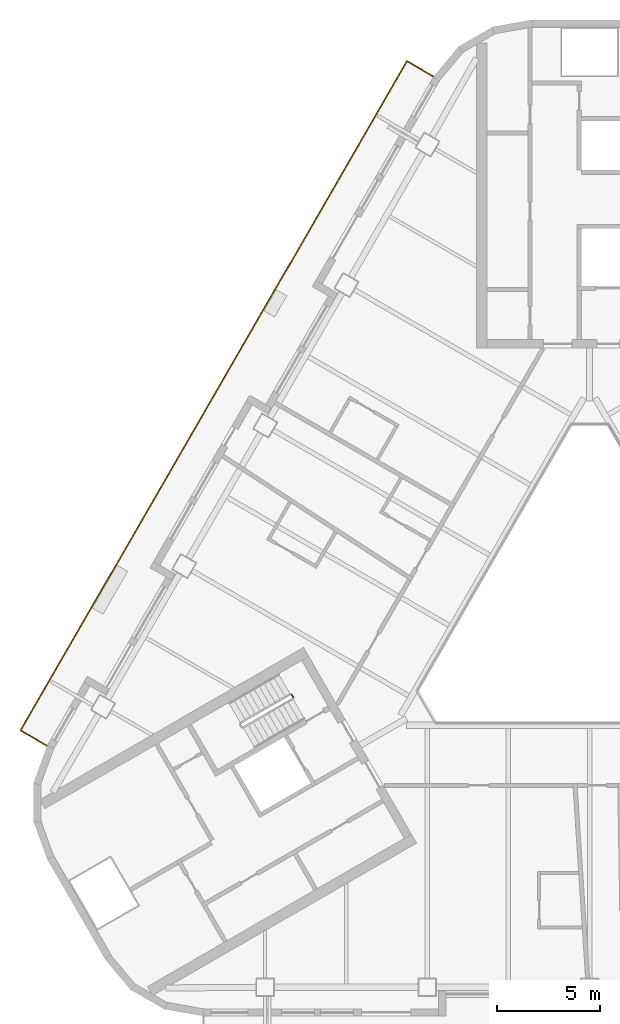
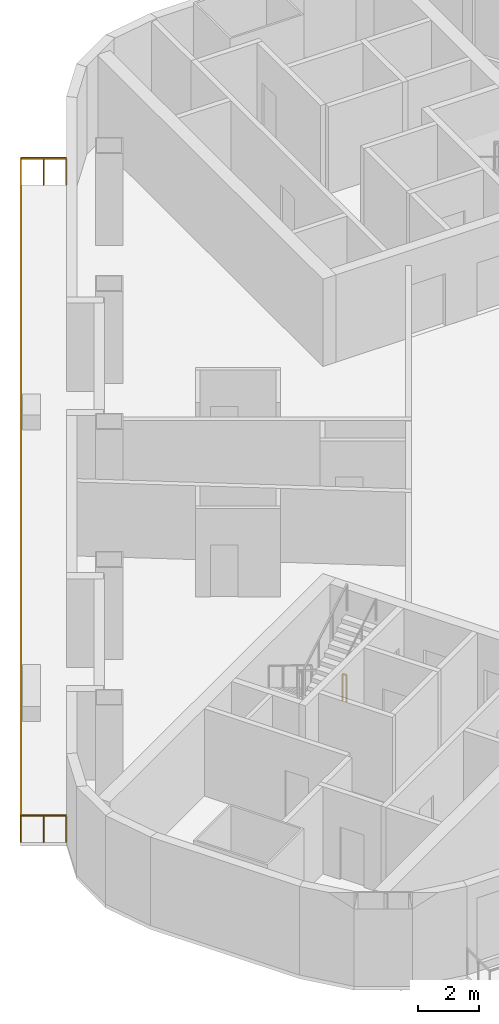
# One storey, part 11 of 14: 2 railings.
"""IFC4 building model written with IfcOpenShell, lengths in metres."""

from ifc_helpers import new_model, si_unit, direction, frame, origin, origin_2d, place, context, subcontext, project, spatial, rectangle, extrude, material, type_object, element, save


model = new_model("IFC4")

# Units and contexts
model_context = context("Model", 3, precision=1e-05, world=origin(), true_north=direction((0.0, 1.0)))
body_context = subcontext(model_context, "Body", "Model", "MODEL_VIEW")
ifc_project = project(units=[si_unit("LENGTHUNIT", "METRE"), si_unit("AREAUNIT", "SQUARE_METRE"), si_unit("VOLUMEUNIT", "CUBIC_METRE"), si_unit("PLANEANGLEUNIT", "RADIAN"), si_unit("MASSUNIT", "GRAM", prefix="KILO")], contexts=[model_context])

# Site, building, storey
site_placement = place(None, origin())
site = spatial("IfcSite", under=ifc_project, at=site_placement, CompositionType="ELEMENT")
building_placement = place(site_placement, origin())
building = spatial("IfcBuilding", under=site, at=building_placement, Name="Apuvela Tower Hotel", CompositionType="ELEMENT")
storey_placement = place(building_placement, frame((0.0, 0.0, 109.39990234375)))
storey = spatial("IfcBuildingStorey", under=building, at=storey_placement, Name="L25", CompositionType="ELEMENT", Elevation=109.39990234375)

# Railings
ifc_material_1 = material(Name="Steel S275 balustrade", Category="steel")
railing_type_1 = type_object("IfcRailingType", Name="COR-GUARD-1100", PredefinedType="GUARDRAIL", material=ifc_material_1)
railing_1_placement = place(storey_placement, frame((-14.500732421875, -3.984130859375, 0.0)))
element("IfcRailing", 1, at=railing_1_placement, inside=storey, type_object=railing_type_1, Name="L25 ST2 stair guard 4", PredefinedType="GUARDRAIL", context=body_context, shape_type="SweptSolid", body=[
    extrude(rectangle(XDim=0.048095703125, YDim=0.048095703125, at=origin_2d()), frame((0.0, 0.0, 1.076171875), z_axis=(0.499816412211, -0.866131372301, 0.0), x_axis=(0.866131372301, 0.499816412211, 0.0)), (0.0, 0.0, 1.0), 0.14990234375),
    extrude(rectangle(XDim=0.0419921875, YDim=0.0419921875, at=origin_2d()), origin(), (0.0, 0.0, 1.0), 1.052001953125),
    extrude(rectangle(XDim=0.0419921875, YDim=0.0419921875, at=origin_2d()), frame((0.074951171875, -0.1298828125, 0.0)), (0.0, 0.0, 1.0), 1.052001953125),
])
ifc_material_2 = material(Name="Stainless steel 316 rail with laminated glass infill", Category="steel")
railing_type_2 = type_object("IfcRailingType", Name="ENV-GUARD-1100", PredefinedType="GUARDRAIL", material=ifc_material_2)
railing_2_placement = place(storey_placement, frame((-7.59228515625, 26.110107421875, 0.0)))
element("IfcRailing", 2, at=railing_2_placement, inside=storey, type_object=railing_type_2, Name="Balcony guard NW L25", PredefinedType="GUARDRAIL", context=body_context, shape_type="SweptSolid", body=[
    extrude(rectangle(XDim=0.050048828125, YDim=0.050048828125, at=origin_2d()), frame((0.0, 0.0, 1.0751953125), z_axis=(-0.86599040064, 0.500060622324, 0.0), x_axis=(-0.500060622324, -0.86599040064, 0.0)), (0.0, 0.0, 1.0), 1.499755859375),
    extrude(rectangle(XDim=0.050048828125, YDim=0.050048828125, at=origin_2d()), frame((-1.298828125, 0.75, 1.0751953125), z_axis=(-0.500000437506, -0.86602515119, 0.0), x_axis=(0.86602515119, -0.500000437506, 0.0)), (0.0, 0.0, 1.0), 37.6318359375),
    extrude(rectangle(XDim=0.050048828125, YDim=0.050048828125, at=origin_2d()), frame((-20.11474609375, -31.840087890625, 1.0751953125), z_axis=(0.866031096941, -0.499990139034, 0.0), x_axis=(0.499990139034, 0.866031096941, 0.0)), (0.0, 0.0, 1.0), 1.5),
    extrude(rectangle(XDim=0.0400390625, YDim=0.0400390625, at=origin_2d()), origin(), (0.0, 0.0, 1.0), 1.050048828125),
    extrude(rectangle(XDim=0.0400390625, YDim=0.0400390625, at=origin_2d()), frame((-0.6494140625, 0.375, 0.0)), (0.0, 0.0, 1.0), 1.050048828125),
    extrude(rectangle(XDim=0.0400390625, YDim=0.0400390625, at=origin_2d()), frame((-1.298828125, 0.75, 0.0)), (0.0, 0.0, 1.0), 1.050048828125),
    extrude(rectangle(XDim=0.0400390625, YDim=0.0400390625, at=origin_2d()), frame((-1.88671875, -0.2685546875, 0.0)), (0.0, 0.0, 1.0), 1.050048828125),
    extrude(rectangle(XDim=0.0400390625, YDim=0.0400390625, at=origin_2d()), frame((-2.474853515625, -1.286865234375, 0.0)), (0.0, 0.0, 1.0), 1.050048828125),
    extrude(rectangle(XDim=0.0400390625, YDim=0.0400390625, at=origin_2d()), frame((-3.062744140625, -2.305419921875, 0.0)), (0.0, 0.0, 1.0), 1.050048828125),
    extrude(rectangle(XDim=0.0400390625, YDim=0.0400390625, at=origin_2d()), frame((-3.65087890625, -3.32373046875, 0.0)), (0.0, 0.0, 1.0), 1.050048828125),
    extrude(rectangle(XDim=0.0400390625, YDim=0.0400390625, at=origin_2d()), frame((-4.23876953125, -4.34228515625, 0.0)), (0.0, 0.0, 1.0), 1.050048828125),
    extrude(rectangle(XDim=0.0400390625, YDim=0.0400390625, at=origin_2d()), frame((-4.826904296875, -5.360595703125, 0.0)), (0.0, 0.0, 1.0), 1.050048828125),
    extrude(rectangle(XDim=0.0400390625, YDim=0.0400390625, at=origin_2d()), frame((-5.414794921875, -6.379150390625, 0.0)), (0.0, 0.0, 1.0), 1.050048828125),
    extrude(rectangle(XDim=0.0400390625, YDim=0.0400390625, at=origin_2d()), frame((-6.0029296875, -7.3974609375, 0.0)), (0.0, 0.0, 1.0), 1.050048828125),
    extrude(rectangle(XDim=0.0400390625, YDim=0.0400390625, at=origin_2d()), frame((-6.5908203125, -8.416015625, 0.0)), (0.0, 0.0, 1.0), 1.050048828125),
    extrude(rectangle(XDim=0.0400390625, YDim=0.0400390625, at=origin_2d()), frame((-7.1787109375, -9.434326171875, 0.0)), (0.0, 0.0, 1.0), 1.050048828125),
    extrude(rectangle(XDim=0.0400390625, YDim=0.0400390625, at=origin_2d()), frame((-7.766845703125, -10.452880859375, 0.0)), (0.0, 0.0, 1.0), 1.050048828125),
    extrude(rectangle(XDim=0.0400390625, YDim=0.0400390625, at=origin_2d()), frame((-8.354736328125, -11.47119140625, 0.0)), (0.0, 0.0, 1.0), 1.050048828125),
    extrude(rectangle(XDim=0.0400390625, YDim=0.0400390625, at=origin_2d()), frame((-8.94287109375, -12.48974609375, 0.0)), (0.0, 0.0, 1.0), 1.050048828125),
    extrude(rectangle(XDim=0.0400390625, YDim=0.0400390625, at=origin_2d()), frame((-9.53076171875, -13.508056640625, 0.0)), (0.0, 0.0, 1.0), 1.050048828125),
    extrude(rectangle(XDim=0.0400390625, YDim=0.0400390625, at=origin_2d()), frame((-10.118896484375, -14.526611328125, 0.0)), (0.0, 0.0, 1.0), 1.050048828125),
    extrude(rectangle(XDim=0.0400390625, YDim=0.0400390625, at=origin_2d()), frame((-10.706787109375, -15.544921875, 0.0)), (0.0, 0.0, 1.0), 1.050048828125),
    extrude(rectangle(XDim=0.0400390625, YDim=0.0400390625, at=origin_2d()), frame((-11.294677734375, -16.5634765625, 0.0)), (0.0, 0.0, 1.0), 1.050048828125),
    extrude(rectangle(XDim=0.0400390625, YDim=0.0400390625, at=origin_2d()), frame((-11.8828125, -17.58203125, 0.0)), (0.0, 0.0, 1.0), 1.050048828125),
    extrude(rectangle(XDim=0.0400390625, YDim=0.0400390625, at=origin_2d()), frame((-12.470703125, -18.600341796875, 0.0)), (0.0, 0.0, 1.0), 1.050048828125),
    extrude(rectangle(XDim=0.0400390625, YDim=0.0400390625, at=origin_2d()), frame((-13.058837890625, -19.618896484375, 0.0)), (0.0, 0.0, 1.0), 1.050048828125),
    extrude(rectangle(XDim=0.0400390625, YDim=0.0400390625, at=origin_2d()), frame((-13.646728515625, -20.63720703125, 0.0)), (0.0, 0.0, 1.0), 1.050048828125),
    extrude(rectangle(XDim=0.0400390625, YDim=0.0400390625, at=origin_2d()), frame((-14.23486328125, -21.65576171875, 0.0)), (0.0, 0.0, 1.0), 1.050048828125),
    extrude(rectangle(XDim=0.0400390625, YDim=0.0400390625, at=origin_2d()), frame((-14.82275390625, -22.674072265625, 0.0)), (0.0, 0.0, 1.0), 1.050048828125),
    extrude(rectangle(XDim=0.0400390625, YDim=0.0400390625, at=origin_2d()), frame((-15.41064453125, -23.692626953125, 0.0)), (0.0, 0.0, 1.0), 1.050048828125),
    extrude(rectangle(XDim=0.0400390625, YDim=0.0400390625, at=origin_2d()), frame((-15.998779296875, -24.7109375, 0.0)), (0.0, 0.0, 1.0), 1.050048828125),
    extrude(rectangle(XDim=0.0400390625, YDim=0.0400390625, at=origin_2d()), frame((-16.586669921875, -25.7294921875, 0.0)), (0.0, 0.0, 1.0), 1.050048828125),
    extrude(rectangle(XDim=0.0400390625, YDim=0.0400390625, at=origin_2d()), frame((-17.1748046875, -26.747802734375, 0.0)), (0.0, 0.0, 1.0), 1.050048828125),
    extrude(rectangle(XDim=0.0400390625, YDim=0.0400390625, at=origin_2d()), frame((-17.7626953125, -27.766357421875, 0.0)), (0.0, 0.0, 1.0), 1.050048828125),
    extrude(rectangle(XDim=0.0400390625, YDim=0.0400390625, at=origin_2d()), frame((-18.350830078125, -28.78466796875, 0.0)), (0.0, 0.0, 1.0), 1.050048828125),
    extrude(rectangle(XDim=0.0400390625, YDim=0.0400390625, at=origin_2d()), frame((-18.938720703125, -29.80322265625, 0.0)), (0.0, 0.0, 1.0), 1.050048828125),
    extrude(rectangle(XDim=0.0400390625, YDim=0.0400390625, at=origin_2d()), frame((-19.52685546875, -30.821533203125, 0.0)), (0.0, 0.0, 1.0), 1.050048828125),
    extrude(rectangle(XDim=0.0400390625, YDim=0.0400390625, at=origin_2d()), frame((-20.11474609375, -31.840087890625, 0.0)), (0.0, 0.0, 1.0), 1.050048828125),
    extrude(rectangle(XDim=0.0400390625, YDim=0.0400390625, at=origin_2d()), frame((-19.46533203125, -32.215087890625, 0.0)), (0.0, 0.0, 1.0), 1.050048828125),
    extrude(rectangle(XDim=0.0400390625, YDim=0.0400390625, at=origin_2d()), frame((-18.815673828125, -32.590087890625, 0.0)), (0.0, 0.0, 1.0), 1.050048828125),
])

save(model, "model.ifc")
